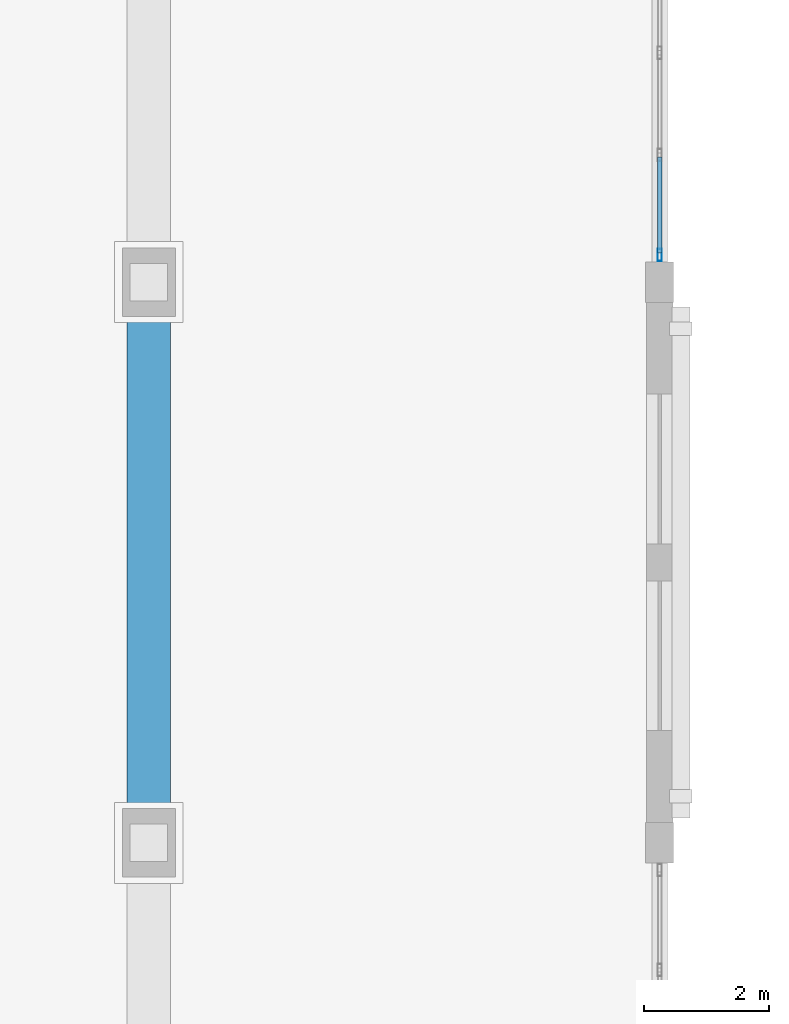
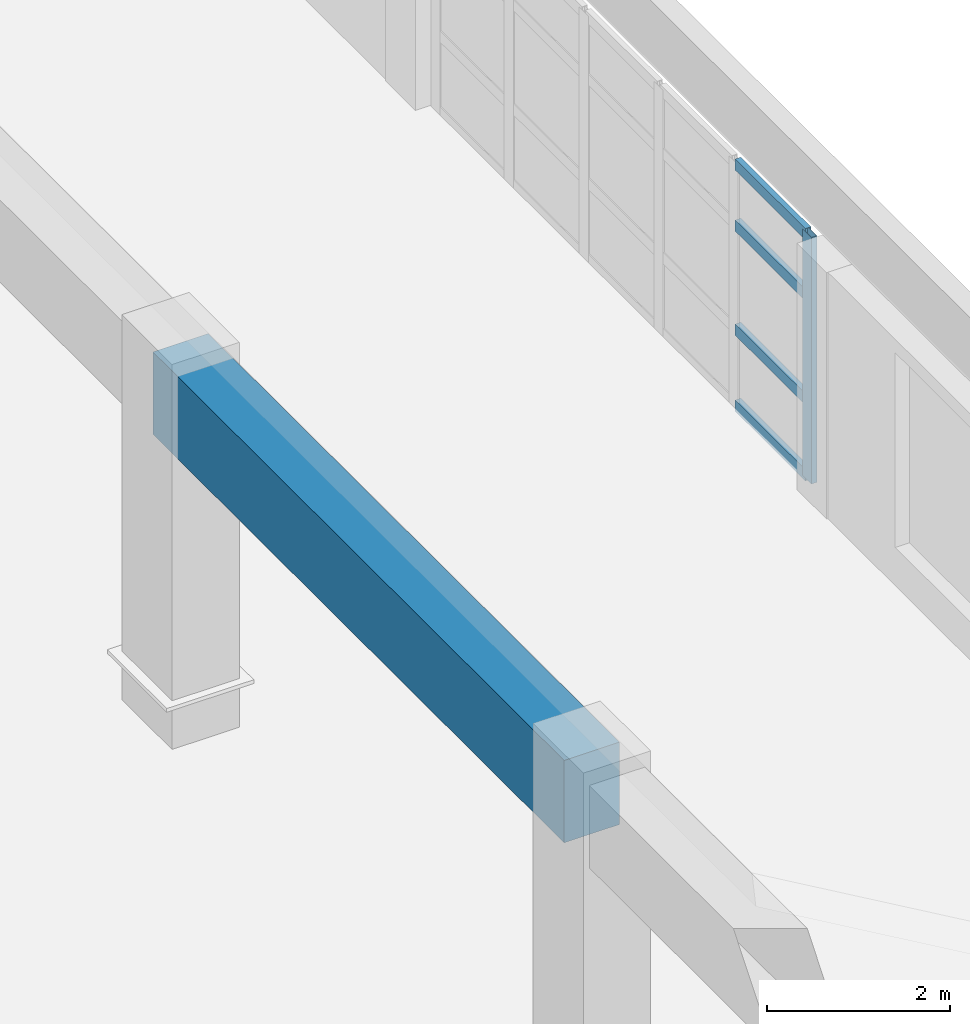
# One storey, part 20 of 80: 5 members, 1 beam, 1 element without a shape of its own.
"""IFC4 building model written with IfcOpenShell, lengths in metres."""

from ifc_helpers import new_model, si_unit, direction, frame, origin, origin_2d, place, context, subcontext, project, spatial, rectangle, hollow_rectangle, extrude, material, layer, layer_set, material_profile, profile_set, type_object, element, aggregate, save


model = new_model("IFC4")

# Units and contexts
model_context = context("Model", 3, precision=1e-05, world=origin(), true_north=direction((0.0, 1.0)))
body_context = subcontext(model_context, "Body", "Model", "MODEL_VIEW")
ifc_project = project(units=[si_unit("LENGTHUNIT", "METRE"), si_unit("AREAUNIT", "SQUARE_METRE"), si_unit("VOLUMEUNIT", "CUBIC_METRE"), si_unit("PLANEANGLEUNIT", "RADIAN"), si_unit("MASSUNIT", "GRAM", prefix="KILO")], contexts=[model_context])

# Site, building, storey
site_placement = place(None, origin())
site = spatial("IfcSite", under=ifc_project, at=site_placement, CompositionType="ELEMENT")
building_placement = place(site_placement, origin())
building = spatial("IfcBuilding", under=site, at=building_placement, Name="Ornek Quay Market", CompositionType="ELEMENT")
storey_placement = place(building_placement, frame((0.0, 0.0, 8.39990234375)))
storey = spatial("IfcBuildingStorey", under=building, at=storey_placement, Name="L02", CompositionType="ELEMENT", Elevation=8.39990234375)

# Beam
ifc_material_1 = material(Name="Concrete C45/55", Category="concrete")
ifc_material_profile_1 = material_profile(ifc_material_1, rectangle(XDim=0.699951171875, YDim=1.10009765625, at=origin_2d()), Name="RC 700x1100", Category="concrete")
ifc_profile_set_1 = profile_set([ifc_material_profile_1], Name="Concrete C45/55")
beam_type = type_object("IfcBeamType", Name="BM-ARCH-TIE-700x1100", PredefinedType="BEAM", material=ifc_profile_set_1)
beam_placement = place(storey_placement, frame((117.0, 47.0, 4.400146484375), z_axis=(0.0, 1.0, 0.0), x_axis=(-1.0, 0.0, 0.0)))
element("IfcBeam", 1, at=beam_placement, inside=storey, type_object=beam_type, Name="Arch springing edge tie beam F-E", PredefinedType="BEAM", context=body_context, shape_type="SweptSolid", body=[
    extrude(rectangle(XDim=0.699951171875, YDim=1.10009765625, at=origin_2d()), origin(), (0.0, 0.0, 1.0), 9.0),
])

# Curtain wall, members
ifc_material_2 = material(Name="Anodised bronze aluminium and triple low-e glass", Category="aluminium")
ifc_layer = layer(ifc_material_2, 0.239990234375, Name="Anodised bronze aluminium and triple low-e glass", Category="aluminium")
ifc_layer_set = layer_set([ifc_layer], Name="Anodised bronze aluminium and triple low-e glass")
curtain_wall_type = type_object("IfcCurtainWallType", Name="CW-GAB-MOD1800", PredefinedType="USERDEFINED", material=ifc_layer_set)
curtain_wall_placement = place(storey_placement, origin())
curtain_wall = element("IfcCurtainWall", 2, at=curtain_wall_placement, inside=storey, type_object=curtain_wall_type, Name="Curtain wall CW-061", ObjectType="CURTAIN WALL", PredefinedType="USERDEFINED")
ifc_material_3 = material(Name="Anodised aluminium 6063-T6", Category="aluminium")
ifc_material_profile_2 = material_profile(ifc_material_3, hollow_rectangle(XDim=0.070068359375, YDim=0.199951171875, WallThickness=0.0048828125, at=origin_2d()), Name="CW-MUL-70x200", Category="aluminium")
ifc_profile_set_2 = profile_set([ifc_material_profile_2], Name="Anodised aluminium 6063-T6")
member_type_1 = type_object("IfcMemberType", Name="CW-MUL-70x200", PredefinedType="MULLION", material=ifc_profile_set_2)
member_1_placement = place(storey_placement, frame((125.199951171875, 56.43505859375, 0.0), z_axis=(0.0, 0.0, 1.0), x_axis=(-1.0, 0.0, 0.0)))
member_1 = element("IfcMember", 3, at=member_1_placement, type_object=member_type_1, Name="CW-061 mullion 1", PredefinedType="MULLION", context=body_context, shape_type="SweptSolid", body=[
    extrude(hollow_rectangle(XDim=0.070068359375, YDim=0.199951171875, WallThickness=0.0048828125, at=origin_2d()), origin(), (0.0, 0.0, 1.0), 3.2900390625),
])
ifc_material_profile_3 = material_profile(ifc_material_3, hollow_rectangle(XDim=0.070068359375, YDim=0.14990234375, WallThickness=0.0048828125, at=origin_2d()), Name="CW-TRN-70x150", Category="aluminium")
ifc_profile_set_3 = profile_set([ifc_material_profile_3], Name="Anodised aluminium 6063-T6")
member_type_2 = type_object("IfcMemberType", Name="CW-TRN-70x150", PredefinedType="USERDEFINED", material=ifc_profile_set_3)
member_2_placement = place(storey_placement, frame((125.199951171875, 56.469970703125, 0.03515625), z_axis=(0.0, 1.0, 0.0), x_axis=(-1.0, 0.0, 0.0)))
member_2 = element("IfcMember", 4, at=member_2_placement, type_object=member_type_2, Name="CW-061 transom 1.1", ObjectType="TRANSOM", PredefinedType="USERDEFINED", context=body_context, shape_type="SweptSolid", body=[
    extrude(hollow_rectangle(XDim=0.070068359375, YDim=0.14990234375, WallThickness=0.0048828125, at=origin_2d()), origin(), (0.0, 0.0, 1.0), 1.534912109375),
])
member_3_placement = place(storey_placement, frame((125.199951171875, 56.469970703125, 1.050048828125), z_axis=(0.0, 1.0, 0.0), x_axis=(-1.0, 0.0, 0.0)))
member_3 = element("IfcMember", 5, at=member_3_placement, type_object=member_type_2, Name="CW-061 transom 1.2", ObjectType="TRANSOM", PredefinedType="USERDEFINED", context=body_context, shape_type="SweptSolid", body=[
    extrude(hollow_rectangle(XDim=0.070068359375, YDim=0.14990234375, WallThickness=0.0048828125, at=origin_2d()), origin(), (0.0, 0.0, 1.0), 1.534912109375),
])
member_4_placement = place(storey_placement, frame((125.199951171875, 56.469970703125, 2.440185546875), z_axis=(0.0, 1.0, 0.0), x_axis=(-1.0, 0.0, 0.0)))
member_4 = element("IfcMember", 6, at=member_4_placement, type_object=member_type_2, Name="CW-061 transom 1.3", ObjectType="TRANSOM", PredefinedType="USERDEFINED", context=body_context, shape_type="SweptSolid", body=[
    extrude(hollow_rectangle(XDim=0.070068359375, YDim=0.14990234375, WallThickness=0.0048828125, at=origin_2d()), origin(), (0.0, 0.0, 1.0), 1.534912109375),
])
member_5_placement = place(storey_placement, frame((125.199951171875, 56.469970703125, 3.255126953125), z_axis=(0.0, 1.0, 0.0), x_axis=(-1.0, 0.0, 0.0)))
member_5 = element("IfcMember", 7, at=member_5_placement, type_object=member_type_2, Name="CW-061 transom 1.4", ObjectType="TRANSOM", PredefinedType="USERDEFINED", context=body_context, shape_type="SweptSolid", body=[
    extrude(hollow_rectangle(XDim=0.070068359375, YDim=0.14990234375, WallThickness=0.0048828125, at=origin_2d()), origin(), (0.0, 0.0, 1.0), 1.534912109375),
])
aggregate(curtain_wall, [member_1, member_2, member_3, member_4, member_5])

save(model, "model.ifc")
